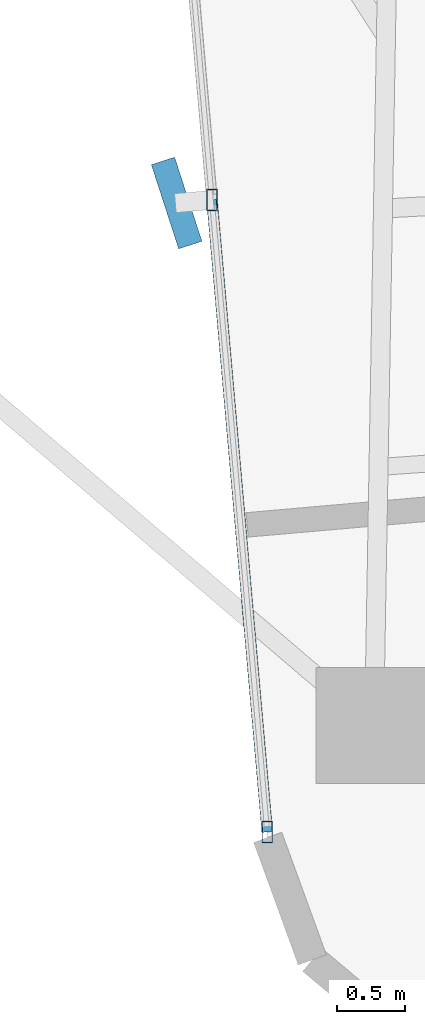
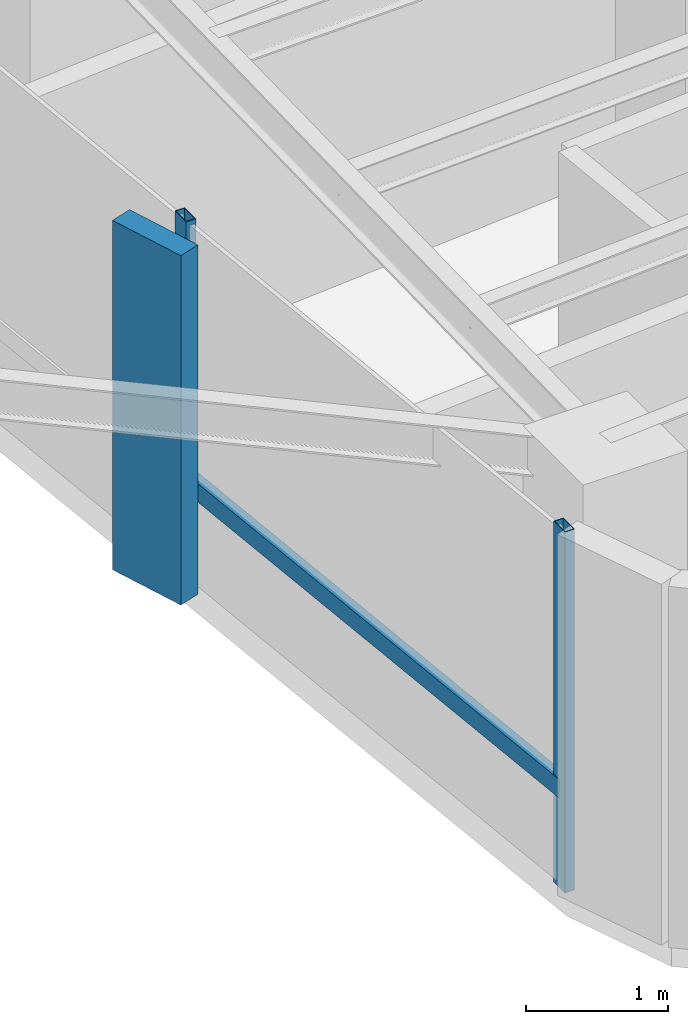
# One storey, part 2 of 24: 4 members, 1 element without a shape of its own.
"""IFC4 building model written with IfcOpenShell, lengths in metres."""

from ifc_helpers import new_model, si_unit, direction, frame, origin, origin_2d, place, context, subcontext, project, spatial, rectangle, hollow_rectangle, extrude, source, transform, mapped, material, material_profile, profile_set, type_object, element, aggregate, save


model = new_model("IFC4")

# Units and contexts
model_context = context("Model", 3, precision=1e-05, world=origin(), true_north=direction((0.0, 1.0)))
body_context = subcontext(model_context, "Body", "Model", "MODEL_VIEW")
ifc_project = project(units=[si_unit("LENGTHUNIT", "METRE"), si_unit("AREAUNIT", "SQUARE_METRE"), si_unit("VOLUMEUNIT", "CUBIC_METRE"), si_unit("PLANEANGLEUNIT", "RADIAN"), si_unit("MASSUNIT", "GRAM", prefix="KILO")], contexts=[model_context])

# Site, building, storey
site_placement = place(None, origin())
site = spatial("IfcSite", under=ifc_project, at=site_placement, CompositionType="ELEMENT")
building_placement = place(site_placement, origin())
building = spatial("IfcBuilding", under=site, at=building_placement, Name="Sahyath Konkavel Grand Hotel", CompositionType="ELEMENT")
storey_placement = place(building_placement, frame((0.0, 0.0, 188.60009765625)))
storey = spatial("IfcBuildingStorey", under=building, at=storey_placement, Name="L52", CompositionType="ELEMENT", Elevation=188.60009765625)

# Curtain wall, members
ifc_material_1 = material(Name="Anodised Bronze Aluminium & Low-E Glazing", Category="aluminium")
curtain_wall_type = type_object("IfcCurtainWallType", Name="CW-ZONE3", PredefinedType="NOTDEFINED", material=ifc_material_1)
curtain_wall_placement = place(storey_placement, origin())
curtain_wall = element("IfcCurtainWall", 1, at=curtain_wall_placement, inside=storey, type_object=curtain_wall_type, Name="L52 Unitised Curtain Wall F24", PredefinedType="NOTDEFINED")
ifc_material_2 = material(Name="Anodised Bronze Aluminium", Category="aluminium")
ifc_material_profile_1 = material_profile(ifc_material_2, hollow_rectangle(XDim=0.080078125, YDim=0.159912109375, WallThickness=0.006103515625, at=origin_2d()), Name="RHS 160x80x6")
ifc_profile_set_1 = profile_set([ifc_material_profile_1], Name="Anodised Bronze Aluminium")
member_type_1 = type_object("IfcMemberType", Name="CW-MUL-160", PredefinedType="MULLION", material=ifc_profile_set_1)
shared_shape_1 = source(origin(), body_context, "Body", "SweptSolid", [
    extrude(hollow_rectangle(XDim=0.080078125, YDim=0.159912109375, WallThickness=0.006103515625, at=origin_2d()), origin(), (0.0, 0.0, 1.0), 3.10986328125),
])
member_1_placement = place(storey_placement, frame((-5.12744140625, -14.251220703125, 0.0), z_axis=(0.0, 0.0, 1.0), x_axis=(1.0, 0.0, 0.0)))
member_1 = element("IfcMember", 2, at=member_1_placement, type_object=member_type_1, Name="L52 Curtain Wall Mullion F24-1", PredefinedType="MULLION", context=body_context, shape_type="MappedRepresentation", body=[
    mapped(shared_shape_1, transform((0.0, 0.0, 0.0), scale=1.0)),
])
member_2_placement = place(storey_placement, frame((-4.72119140625, -18.893310546875, 0.0), z_axis=(0.0, 0.0, 1.0), x_axis=(1.0, 0.0, 0.0)))
member_2 = element("IfcMember", 3, at=member_2_placement, type_object=member_type_1, Name="L52 Curtain Wall Mullion F24-2", PredefinedType="MULLION", context=body_context, shape_type="MappedRepresentation", body=[
    mapped(shared_shape_1, transform((0.0, 0.0, 0.0), scale=1.0)),
])
ifc_material_3 = material(Name="Warm Buff Sandstone Cladding on Concrete C50/60", Category="masonry")
ifc_material_profile_2 = material_profile(ifc_material_3, rectangle(XDim=0.179931640625, YDim=0.64990234375, at=origin_2d()), Name="FIN 180x650")
ifc_profile_set_2 = profile_set([ifc_material_profile_2], Name="Warm Buff Sandstone Cladding on Concrete C50/60")
member_type_2 = type_object("IfcMemberType", Name="FIN-SANDSTONE-650", PredefinedType="MULLION", material=ifc_profile_set_2)
shared_shape_2 = source(origin(), body_context, "Body", "SweptSolid", [
    extrude(rectangle(XDim=0.179931640625, YDim=0.64990234375, at=origin_2d()), origin(), (0.0, 0.0, 1.0), 3.010009765625),
])
member_3_placement = place(storey_placement, frame((-5.386474609375, -14.273681640625, 0.0498046875), z_axis=(0.0, 0.0, 1.0), x_axis=(0.951164325631, 0.308684994204, 0.0)))
member_3 = element("IfcMember", 4, at=member_3_placement, type_object=member_type_2, Name="L52 Sandstone Vertical Solar Fin FIN F24-1", PredefinedType="MULLION", context=body_context, shape_type="MappedRepresentation", body=[
    mapped(shared_shape_2, transform((0.0, 0.0, 0.0), scale=1.0)),
])
ifc_material_profile_3 = material_profile(ifc_material_2, hollow_rectangle(XDim=0.080078125, YDim=0.159912109375, WallThickness=0.006103515625, at=origin_2d()), Name="RHS 160x80x6")
ifc_profile_set_3 = profile_set([ifc_material_profile_3], Name="Anodised Bronze Aluminium")
member_type_3 = type_object("IfcMemberType", Name="CW-TRN-160", PredefinedType="USERDEFINED", material=ifc_profile_set_3)
shared_shape_3 = source(origin(), body_context, "Body", "SweptSolid", [
    extrude(hollow_rectangle(XDim=0.080078125, YDim=0.159912109375, WallThickness=0.006103515625, at=origin_2d()), origin(), (0.0, 0.0, 1.0), 4.659912109375),
])
member_4_placement = place(storey_placement, frame((-5.12744140625, -14.251220703125, 0.849853515625), z_axis=(0.087181248758, -0.996192466276, 0.0), x_axis=(0.996192466276, 0.087181248758, 0.0)))
member_4 = element("IfcMember", 5, at=member_4_placement, type_object=member_type_3, Name="L52 Curtain Wall Transom F24-1-spandrel", ObjectType="TRANSOM", PredefinedType="USERDEFINED", context=body_context, shape_type="MappedRepresentation", body=[
    mapped(shared_shape_3, transform((0.0, 0.0, 0.0), scale=1.0)),
])
aggregate(curtain_wall, [member_1, member_3, member_2, member_4])

save(model, "model.ifc")
